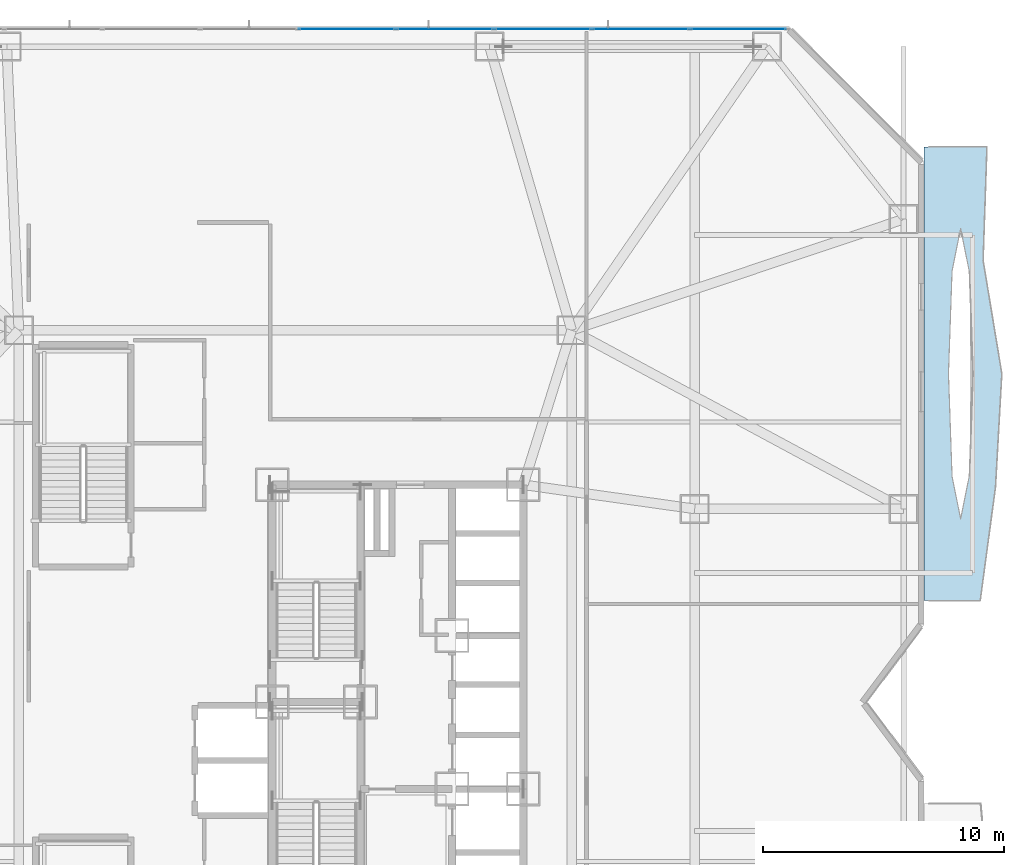
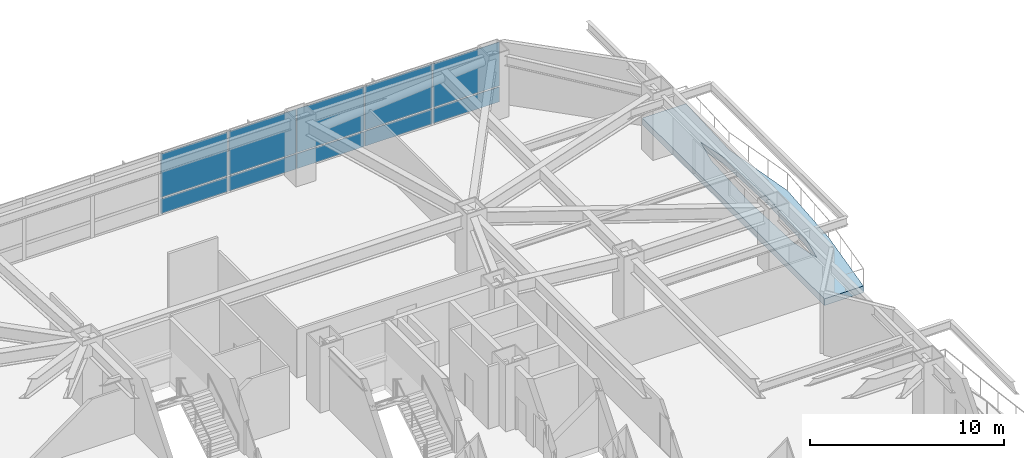
# One storey, part 20 of 32: 10 plates, 1 slab, 1 element without a shape of its own.
"""IFC4 building model written with IfcOpenShell, lengths in metres."""

import ifcopenshell
import ifcopenshell.guid

model = None  # the IFC model being written
_history = None  # IfcOwnerHistory: only IFC2X3 demands one
_inside = {}  # id of a spatial element -> (the spatial element, [elements in it])
_under = {}  # id of a project, library or spatial element -> (it, [spatial elements below it])
_declared = {}  # id of a project -> (the project, [libraries it declares])
_typed = {}  # id of a type object -> (the type object, [elements of that type])
_made_of = {}  # id of a material, layer set ... -> (it, [elements and type objects made of it])


def new_model(schema):
    """Start an empty IFC model of exactly this schema.

    Asked for "IFC4X3", IfcOpenShell would pick the latest addendum, in which some entities
    have other attributes; the version numbers below select the first issue.
    IFC2X3 requires an IfcOwnerHistory on every rooted entity: one is made here for all.
    """
    global model, _history
    if schema == "IFC4X3":
        model = ifcopenshell.file(schema_version=(4, 3, 0, 0))
    else:
        model = ifcopenshell.file(schema=schema)
    _inside.clear()
    _under.clear()
    _declared.clear()
    _typed.clear()
    _made_of.clear()
    _history = None
    if model.schema == "IFC2X3":
        org = make("IfcOrganization", Name="unknown")
        user = make(
            "IfcPersonAndOrganization",
            ThePerson=make("IfcPerson", FamilyName="unknown"),
            TheOrganization=org,
        )
        app = make(
            "IfcApplication",
            ApplicationDeveloper=org,
            Version="unknown",
            ApplicationFullName="unknown",
            ApplicationIdentifier="unknown",
        )
        _history = make(
            "IfcOwnerHistory",
            OwningUser=user,
            OwningApplication=app,
            ChangeAction="ADDED",
            CreationDate=0,
        )
    return model


def make(cls, **values):
    """One entity of the class cls with the attributes given. An attribute that is None is left unset."""
    return model.create_entity(
        cls, **{name: value for name, value in values.items() if value is not None}
    )


def rooted(cls, **values):
    """An entity with a GlobalId (a new one), such as an element, a storey or a relation."""
    return make(cls, GlobalId=ifcopenshell.guid.new(), OwnerHistory=_history, **values)


def si_unit(unit_type, name, prefix=None):
    """IfcSIUnit, for example si_unit("LENGTHUNIT", "METRE", prefix="MILLI")."""
    return make("IfcSIUnit", UnitType=unit_type, Prefix=prefix, Name=name)


def assignment(units):
    """IfcUnitAssignment: the units of a project."""
    return None if units is None else make("IfcUnitAssignment", Units=units)


def point(xyz):
    """IfcCartesianPoint."""
    return None if xyz is None else make("IfcCartesianPoint", Coordinates=xyz)


def direction(xyz):
    """IfcDirection."""
    return None if xyz is None else make("IfcDirection", DirectionRatios=xyz)


def frame(location, z_axis=None, x_axis=None):
    """IfcAxis2Placement3D, a coordinate frame: its origin and axes. An axis left out is left unset."""
    return make(
        "IfcAxis2Placement3D",
        Location=point(location),
        Axis=direction(z_axis),
        RefDirection=direction(x_axis),
    )


def frame_2d(location, x_axis=None):
    """IfcAxis2Placement2D, a coordinate frame in the plane: its origin and x axis."""
    return make(
        "IfcAxis2Placement2D", Location=point(location), RefDirection=direction(x_axis)
    )


def origin():
    """The frame at (0, 0, 0) with its axes left unset."""
    return frame((0.0, 0.0, 0.0))


def origin_2d():
    """The frame at (0, 0) in the plane with its x axis left unset."""
    return frame_2d((0.0, 0.0))


def place(relative_to, where):
    """IfcLocalPlacement: puts the frame where relative to a parent placement (None: the world)."""
    return make(
        "IfcLocalPlacement", PlacementRelTo=relative_to, RelativePlacement=where
    )


def context(
    kind, dimensions, precision=None, world=None, true_north=None, identifier=None
):
    """IfcGeometricRepresentationContext, for example the 3D "Model" context."""
    return make(
        "IfcGeometricRepresentationContext",
        ContextIdentifier=identifier,
        ContextType=kind,
        CoordinateSpaceDimension=dimensions,
        Precision=precision,
        WorldCoordinateSystem=world,
        TrueNorth=true_north,
    )


def subcontext(parent, identifier, kind, view, scale=None):
    """IfcGeometricRepresentationSubContext, for example "Body" below "Model"."""
    return make(
        "IfcGeometricRepresentationSubContext",
        ContextIdentifier=identifier,
        ContextType=kind,
        ParentContext=parent,
        TargetScale=scale,
        TargetView=view,
    )


def project(units=None, contexts=None):
    """IfcProject with its units and contexts."""
    return rooted(
        "IfcProject",
        Name="project",
        RepresentationContexts=contexts,
        UnitsInContext=assignment(units),
    )


def spatial(cls, under=None, at=None, **own):
    """A site, building, storey or space (cls), placed at a placement, below another one or the project."""
    s = rooted(cls, ObjectPlacement=at, **own)
    if under is not None:
        _under.setdefault(under.id(), (under, []))[1].append(s)
    return s


def polyline(points):
    """IfcPolyline through the points."""
    return make("IfcPolyline", Points=[point(p) for p in points])


def profile(cls, at=None, kind="AREA", **sizes):
    """A parametric profile (cls). Its sizes go by their IFC names, for example OverallWidth=200.0."""
    return make(cls, ProfileType=kind, Position=at, **sizes)


def rectangle(**sizes):
    """IfcRectangleProfileDef."""
    return profile("IfcRectangleProfileDef", **sizes)


def outline(outer, holes=None, kind="AREA"):
    """IfcArbitraryClosedProfileDef: a profile drawn as a closed curve; with holes, ...WithVoids."""
    if holes is None:
        return make("IfcArbitraryClosedProfileDef", ProfileType=kind, OuterCurve=outer)
    return make(
        "IfcArbitraryProfileDefWithVoids",
        ProfileType=kind,
        OuterCurve=outer,
        InnerCurves=holes,
    )


def extrude(swept, where, along, depth):
    """IfcExtrudedAreaSolid: the profile swept, set in the frame where, extruded along a direction by depth."""
    return make(
        "IfcExtrudedAreaSolid",
        SweptArea=swept,
        Position=where,
        ExtrudedDirection=direction(along),
        Depth=depth,
    )


def shape(context_of_items, identifier, shape_type, items):
    """IfcShapeRepresentation: the items that make up one representation, for example the "Body"."""
    return make(
        "IfcShapeRepresentation",
        ContextOfItems=context_of_items,
        RepresentationIdentifier=identifier,
        RepresentationType=shape_type,
        Items=items,
    )


def material(Name=None, Category=None):
    """IfcMaterial."""
    return make("IfcMaterial", Name=Name, Category=Category)


def layer(
    of_material, thickness, ventilated=None, Name=None, Category=None, Priority=None
):
    """IfcMaterialLayer: one layer of a wall or slab, of a material (None: an air gap)."""
    return make(
        "IfcMaterialLayer",
        Material=of_material,
        LayerThickness=thickness,
        IsVentilated=ventilated,
        Name=Name,
        Category=Category,
        Priority=Priority,
    )


def layer_set(layers, Name=None):
    """IfcMaterialLayerSet."""
    return make("IfcMaterialLayerSet", MaterialLayers=layers, LayerSetName=Name)


def made_of(thing, what):
    """Note that an element or type object is made of a material, layer set ...; save() writes the relation."""
    if what is not None:
        _made_of.setdefault(what.id(), (what, []))[1].append(thing)
    return thing


def type_object(cls, material=None, **own):
    """A type object (cls), such as IfcWallType, which elements share."""
    return made_of(rooted(cls, **own), material)


def element(
    cls,
    number,
    at=None,
    inside=None,
    cuts=None,
    type_object=None,
    material=None,
    context=None,
    identifier="Body",
    shape_type=None,
    held_by="IfcProductDefinitionShape",
    body=None,
    shapes=None,
    **own,
):
    """One element of the class cls, such as IfcWall. Its Tag is "e" and its number.

    at: its placement. inside: the storey or other place that contains it. cuts: it is an
    opening in that element (IfcRelVoidsElement). A single representation is given by context,
    identifier, shape_type and body (its items); several are given by shapes. held_by: the class
    of the entity that holds the representations. save() writes the other relations.
    """
    e = rooted(cls, Tag="e%d" % number, ObjectPlacement=at, **own)
    if body is not None:
        shapes = [shape(context, identifier, shape_type, body)]
    if shapes is not None:
        e.Representation = make(held_by, Representations=shapes)
    if inside is not None:
        _inside.setdefault(inside.id(), (inside, []))[1].append(e)
    if cuts is not None:
        rooted(
            "IfcRelVoidsElement", RelatingBuildingElement=cuts, RelatedOpeningElement=e
        )
    if type_object is not None:
        _typed.setdefault(type_object.id(), (type_object, []))[1].append(e)
    return made_of(e, material)


def aggregate(whole, parts):
    """IfcRelAggregates: a whole, such as a stair, and the parts it consists of."""
    return rooted("IfcRelAggregates", RelatingObject=whole, RelatedObjects=parts)


def save(model, path):
    """Write the relations noted so far, then the file.

    IfcRelAggregates (storeys below a building ...), IfcRelContainedInSpatialStructure (elements
    in a storey), IfcRelDefinesByType, IfcRelAssociatesMaterial and IfcRelDeclares: one each for
    every whole, place, type object, material and project.
    """
    for whole, parts in _under.values():
        aggregate(whole, parts)
    for where, things in _inside.values():
        rooted(
            "IfcRelContainedInSpatialStructure",
            RelatedElements=things,
            RelatingStructure=where,
        )
    for kind, things in _typed.values():
        rooted("IfcRelDefinesByType", RelatedObjects=things, RelatingType=kind)
    for what, things in _made_of.values():
        rooted("IfcRelAssociatesMaterial", RelatedObjects=things, RelatingMaterial=what)
    for by, libraries in _declared.values():
        rooted("IfcRelDeclares", RelatingContext=by, RelatedDefinitions=libraries)
    model.write(path)


model = new_model("IFC4")

# Units and contexts
model_context = context("Model", 3, precision=1e-05, world=origin(), true_north=direction((0.0, 1.0)))
body_context = subcontext(model_context, "Body", "Model", "MODEL_VIEW")
ifc_project = project(units=[si_unit("LENGTHUNIT", "METRE"), si_unit("AREAUNIT", "SQUARE_METRE"), si_unit("VOLUMEUNIT", "CUBIC_METRE"), si_unit("PLANEANGLEUNIT", "RADIAN"), si_unit("MASSUNIT", "GRAM", prefix="KILO")], contexts=[model_context])

# Site, building, storey
site_placement = place(None, origin())
site = spatial("IfcSite", under=ifc_project, at=site_placement, CompositionType="ELEMENT")
building_placement = place(site_placement, origin())
building = spatial("IfcBuilding", under=site, at=building_placement, Name="Khamvora Tower", CompositionType="ELEMENT")
storey_placement = place(building_placement, frame((0.0, 0.0, 12.0)))
storey = spatial("IfcBuildingStorey", under=building, at=storey_placement, Name="L02", CompositionType="ELEMENT", Elevation=12.0)

# Curtain wall, plates
ifc_material_1 = material(Name="Anodised Aluminium 6063-T6", Category="aluminium")
curtain_wall_type = type_object("IfcCurtainWallType", Name="CW-SYS-01", PredefinedType="NOTDEFINED", material=ifc_material_1)
curtain_wall_placement = place(storey_placement, origin())
curtain_wall = element("IfcCurtainWall", 1, at=curtain_wall_placement, inside=storey, type_object=curtain_wall_type, Name="L02 stick curtain wall 07.1", PredefinedType="NOTDEFINED")
ifc_material_2 = material(Name="Low-E Laminated Double Glazing", Category="glass")
ifc_layer_1 = layer(ifc_material_2, 0.035888671875)
ifc_layer_set_1 = layer_set([ifc_layer_1], Name="Low-E Laminated Double Glazing")
plate_type = type_object("IfcPlateType", Name="CW-SYS-01-PNL", PredefinedType="CURTAIN_PANEL", material=ifc_layer_set_1)
plate_1_placement = place(storey_placement, frame((32.09521484375, 55.8798828125, 0.074951171875), z_axis=(0.0, 0.0, 1.0), x_axis=(1.0, 0.0, 0.0)))
plate_1 = element("IfcPlate", 2, at=plate_1_placement, type_object=plate_type, Name="CW-01 panel 7.1", PredefinedType="CURTAIN_PANEL", context=body_context, shape_type="SweptSolid", body=[
    extrude(rectangle(XDim=3.981689453125, YDim=0.035888671875, at=origin_2d()), origin(), (0.0, 0.0, 1.0), 0.9375),
])
plate_2_placement = place(storey_placement, frame((32.09521484375, 55.8798828125, 1.08740234375), z_axis=(0.0, 0.0, 1.0), x_axis=(1.0, 0.0, 0.0)))
plate_2 = element("IfcPlate", 3, at=plate_2_placement, type_object=plate_type, Name="CW-01 panel 7.2", PredefinedType="CURTAIN_PANEL", context=body_context, shape_type="SweptSolid", body=[
    extrude(rectangle(XDim=3.981689453125, YDim=0.035888671875, at=origin_2d()), origin(), (0.0, 0.0, 1.0), 2.757568359375),
])
plate_3_placement = place(storey_placement, frame((36.15185546875, 55.8798828125, 0.074951171875), z_axis=(0.0, 0.0, 1.0), x_axis=(1.0, 0.0, 0.0)))
plate_3 = element("IfcPlate", 4, at=plate_3_placement, type_object=plate_type, Name="CW-01 panel 8.1", PredefinedType="CURTAIN_PANEL", context=body_context, shape_type="SweptSolid", body=[
    extrude(rectangle(XDim=3.981689453125, YDim=0.035888671875, at=origin_2d()), origin(), (0.0, 0.0, 1.0), 0.9375),
])
plate_4_placement = place(storey_placement, frame((36.15185546875, 55.8798828125, 1.08740234375), z_axis=(0.0, 0.0, 1.0), x_axis=(1.0, 0.0, 0.0)))
plate_4 = element("IfcPlate", 5, at=plate_4_placement, type_object=plate_type, Name="CW-01 panel 8.2", PredefinedType="CURTAIN_PANEL", context=body_context, shape_type="SweptSolid", body=[
    extrude(rectangle(XDim=3.981689453125, YDim=0.035888671875, at=origin_2d()), origin(), (0.0, 0.0, 1.0), 2.757568359375),
])
plate_5_placement = place(storey_placement, frame((40.20849609375, 55.8798828125, 0.074951171875), z_axis=(0.0, 0.0, 1.0), x_axis=(1.0, 0.0, 0.0)))
plate_5 = element("IfcPlate", 6, at=plate_5_placement, type_object=plate_type, Name="CW-01 panel 9.1", PredefinedType="CURTAIN_PANEL", context=body_context, shape_type="SweptSolid", body=[
    extrude(rectangle(XDim=3.981689453125, YDim=0.035888671875, at=origin_2d()), origin(), (0.0, 0.0, 1.0), 0.9375),
])
plate_6_placement = place(storey_placement, frame((40.20849609375, 55.8798828125, 1.08740234375), z_axis=(0.0, 0.0, 1.0), x_axis=(1.0, 0.0, 0.0)))
plate_6 = element("IfcPlate", 7, at=plate_6_placement, type_object=plate_type, Name="CW-01 panel 9.2", PredefinedType="CURTAIN_PANEL", context=body_context, shape_type="SweptSolid", body=[
    extrude(rectangle(XDim=3.981689453125, YDim=0.035888671875, at=origin_2d()), origin(), (0.0, 0.0, 1.0), 2.757568359375),
])
plate_7_placement = place(storey_placement, frame((44.26513671875, 55.8798828125, 0.074951171875), z_axis=(0.0, 0.0, 1.0), x_axis=(1.0, 0.0, 0.0)))
plate_7 = element("IfcPlate", 8, at=plate_7_placement, type_object=plate_type, Name="CW-01 panel 10.1", PredefinedType="CURTAIN_PANEL", context=body_context, shape_type="SweptSolid", body=[
    extrude(rectangle(XDim=3.981689453125, YDim=0.035888671875, at=origin_2d()), origin(), (0.0, 0.0, 1.0), 0.9375),
])
plate_8_placement = place(storey_placement, frame((44.26513671875, 55.8798828125, 1.08740234375), z_axis=(0.0, 0.0, 1.0), x_axis=(1.0, 0.0, 0.0)))
plate_8 = element("IfcPlate", 9, at=plate_8_placement, type_object=plate_type, Name="CW-01 panel 10.2", PredefinedType="CURTAIN_PANEL", context=body_context, shape_type="SweptSolid", body=[
    extrude(rectangle(XDim=3.981689453125, YDim=0.035888671875, at=origin_2d()), origin(), (0.0, 0.0, 1.0), 2.757568359375),
])
plate_9_placement = place(storey_placement, frame((48.302978515625, 55.8798828125, 0.074951171875), z_axis=(0.0, 0.0, 1.0), x_axis=(1.0, 0.0, 0.0)))
plate_9 = element("IfcPlate", 10, at=plate_9_placement, type_object=plate_type, Name="CW-01 panel 11.1", PredefinedType="CURTAIN_PANEL", context=body_context, shape_type="SweptSolid", body=[
    extrude(rectangle(XDim=3.944091796875, YDim=0.035888671875, at=origin_2d()), origin(), (0.0, 0.0, 1.0), 0.9375),
])
plate_10_placement = place(storey_placement, frame((48.302978515625, 55.8798828125, 1.08740234375), z_axis=(0.0, 0.0, 1.0), x_axis=(1.0, 0.0, 0.0)))
plate_10 = element("IfcPlate", 11, at=plate_10_placement, type_object=plate_type, Name="CW-01 panel 11.2", PredefinedType="CURTAIN_PANEL", context=body_context, shape_type="SweptSolid", body=[
    extrude(rectangle(XDim=3.944091796875, YDim=0.035888671875, at=origin_2d()), origin(), (0.0, 0.0, 1.0), 2.757568359375),
])
aggregate(curtain_wall, [plate_1, plate_2, plate_3, plate_4, plate_5, plate_6, plate_7, plate_8, plate_9, plate_10])

# Slab
ifc_material_3 = material(Name="Concrete C40/50", Category="concrete")
ifc_layer_2 = layer(ifc_material_3, 0.419921875)
ifc_layer_set_2 = layer_set([ifc_layer_2], Name="Concrete C40/50")
slab_type = type_object("IfcSlabType", Name="SLB-GRD-420", PredefinedType="FLOOR", material=ifc_layer_set_2)
slab_placement = place(storey_placement, frame((0.0, 0.0, -0.419921875)))
element("IfcSlab", 12, at=slab_placement, inside=storey, type_object=slab_type, Name="L02 external lens gallery slab EL2", PredefinedType="FLOOR", context=body_context, shape_type="SweptSolid", body=[
    extrude(outline(polyline([(58.324951171875, 32.199951171875), (58.9580078125, 36.89990234375), (59.220947265625, 41.60009765625), (58.445068359375, 46.300048828125), (58.60400390625, 51.0), (56.0, 51.0), (56.0, 32.199951171875), (58.324951171875, 32.199951171875)]), holes=[polyline([(58.01904296875, 41.60009765625), (57.87109375, 45.85400390625), (57.514892578125, 47.615966796875), (57.158935546875, 45.85400390625), (57.010986328125, 41.60009765625), (57.158935546875, 37.345947265625), (57.514892578125, 35.583984375), (57.87109375, 37.345947265625), (58.01904296875, 41.60009765625)])]), origin(), (0.0, 0.0, 1.0), 0.419921875),
])

save(model, "model.ifc")
